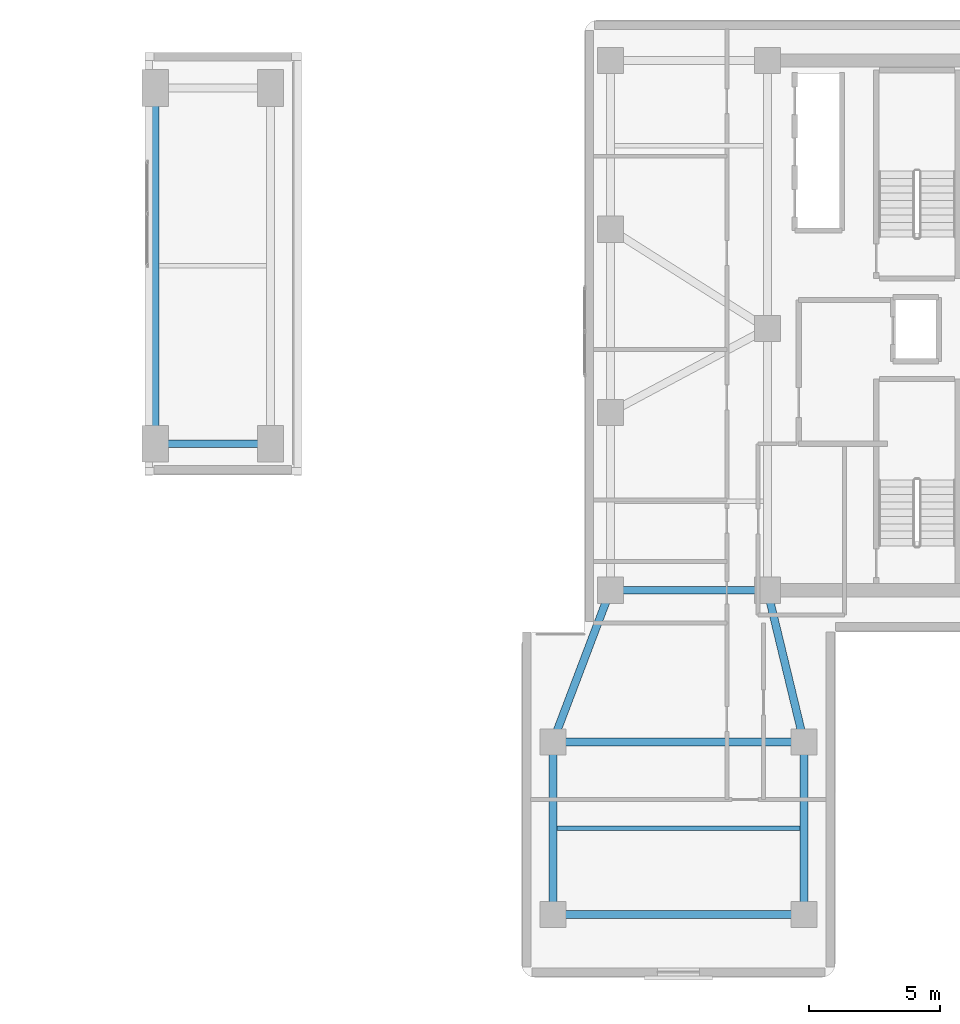
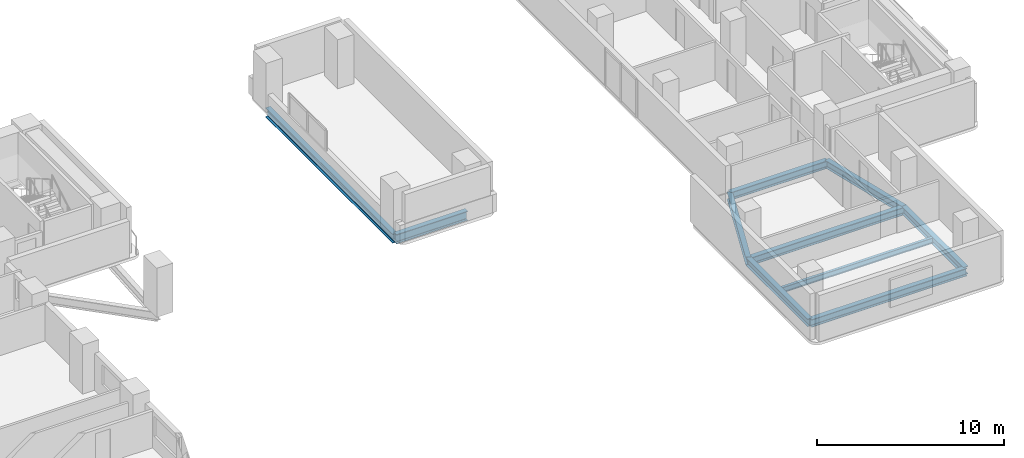
# One storey, part 3 of 14: 10 beams.
"""IFC4 building model written with IfcOpenShell, lengths in metres."""

import ifcopenshell
import ifcopenshell.guid

model = None  # the IFC model being written
_history = None  # IfcOwnerHistory: only IFC2X3 demands one
_inside = {}  # id of a spatial element -> (the spatial element, [elements in it])
_under = {}  # id of a project, library or spatial element -> (it, [spatial elements below it])
_declared = {}  # id of a project -> (the project, [libraries it declares])
_typed = {}  # id of a type object -> (the type object, [elements of that type])
_made_of = {}  # id of a material, layer set ... -> (it, [elements and type objects made of it])


def new_model(schema):
    """Start an empty IFC model of exactly this schema.

    Asked for "IFC4X3", IfcOpenShell would pick the latest addendum, in which some entities
    have other attributes; the version numbers below select the first issue.
    IFC2X3 requires an IfcOwnerHistory on every rooted entity: one is made here for all.
    """
    global model, _history
    if schema == "IFC4X3":
        model = ifcopenshell.file(schema_version=(4, 3, 0, 0))
    else:
        model = ifcopenshell.file(schema=schema)
    _inside.clear()
    _under.clear()
    _declared.clear()
    _typed.clear()
    _made_of.clear()
    _history = None
    if model.schema == "IFC2X3":
        org = make("IfcOrganization", Name="unknown")
        user = make(
            "IfcPersonAndOrganization",
            ThePerson=make("IfcPerson", FamilyName="unknown"),
            TheOrganization=org,
        )
        app = make(
            "IfcApplication",
            ApplicationDeveloper=org,
            Version="unknown",
            ApplicationFullName="unknown",
            ApplicationIdentifier="unknown",
        )
        _history = make(
            "IfcOwnerHistory",
            OwningUser=user,
            OwningApplication=app,
            ChangeAction="ADDED",
            CreationDate=0,
        )
    return model


def make(cls, **values):
    """One entity of the class cls with the attributes given. An attribute that is None is left unset."""
    return model.create_entity(
        cls, **{name: value for name, value in values.items() if value is not None}
    )


def rooted(cls, **values):
    """An entity with a GlobalId (a new one), such as an element, a storey or a relation."""
    return make(cls, GlobalId=ifcopenshell.guid.new(), OwnerHistory=_history, **values)


def si_unit(unit_type, name, prefix=None):
    """IfcSIUnit, for example si_unit("LENGTHUNIT", "METRE", prefix="MILLI")."""
    return make("IfcSIUnit", UnitType=unit_type, Prefix=prefix, Name=name)


def assignment(units):
    """IfcUnitAssignment: the units of a project."""
    return None if units is None else make("IfcUnitAssignment", Units=units)


def point(xyz):
    """IfcCartesianPoint."""
    return None if xyz is None else make("IfcCartesianPoint", Coordinates=xyz)


def direction(xyz):
    """IfcDirection."""
    return None if xyz is None else make("IfcDirection", DirectionRatios=xyz)


def frame(location, z_axis=None, x_axis=None):
    """IfcAxis2Placement3D, a coordinate frame: its origin and axes. An axis left out is left unset."""
    return make(
        "IfcAxis2Placement3D",
        Location=point(location),
        Axis=direction(z_axis),
        RefDirection=direction(x_axis),
    )


def frame_2d(location, x_axis=None):
    """IfcAxis2Placement2D, a coordinate frame in the plane: its origin and x axis."""
    return make(
        "IfcAxis2Placement2D", Location=point(location), RefDirection=direction(x_axis)
    )


def origin():
    """The frame at (0, 0, 0) with its axes left unset."""
    return frame((0.0, 0.0, 0.0))


def origin_2d():
    """The frame at (0, 0) in the plane with its x axis left unset."""
    return frame_2d((0.0, 0.0))


def place(relative_to, where):
    """IfcLocalPlacement: puts the frame where relative to a parent placement (None: the world)."""
    return make(
        "IfcLocalPlacement", PlacementRelTo=relative_to, RelativePlacement=where
    )


def context(
    kind, dimensions, precision=None, world=None, true_north=None, identifier=None
):
    """IfcGeometricRepresentationContext, for example the 3D "Model" context."""
    return make(
        "IfcGeometricRepresentationContext",
        ContextIdentifier=identifier,
        ContextType=kind,
        CoordinateSpaceDimension=dimensions,
        Precision=precision,
        WorldCoordinateSystem=world,
        TrueNorth=true_north,
    )


def subcontext(parent, identifier, kind, view, scale=None):
    """IfcGeometricRepresentationSubContext, for example "Body" below "Model"."""
    return make(
        "IfcGeometricRepresentationSubContext",
        ContextIdentifier=identifier,
        ContextType=kind,
        ParentContext=parent,
        TargetScale=scale,
        TargetView=view,
    )


def project(units=None, contexts=None):
    """IfcProject with its units and contexts."""
    return rooted(
        "IfcProject",
        Name="project",
        RepresentationContexts=contexts,
        UnitsInContext=assignment(units),
    )


def spatial(cls, under=None, at=None, **own):
    """A site, building, storey or space (cls), placed at a placement, below another one or the project."""
    s = rooted(cls, ObjectPlacement=at, **own)
    if under is not None:
        _under.setdefault(under.id(), (under, []))[1].append(s)
    return s


def profile(cls, at=None, kind="AREA", **sizes):
    """A parametric profile (cls). Its sizes go by their IFC names, for example OverallWidth=200.0."""
    return make(cls, ProfileType=kind, Position=at, **sizes)


def i_section(**sizes):
    """IfcIShapeProfileDef."""
    return profile("IfcIShapeProfileDef", **sizes)


def extrude(swept, where, along, depth):
    """IfcExtrudedAreaSolid: the profile swept, set in the frame where, extruded along a direction by depth."""
    return make(
        "IfcExtrudedAreaSolid",
        SweptArea=swept,
        Position=where,
        ExtrudedDirection=direction(along),
        Depth=depth,
    )


def shape(context_of_items, identifier, shape_type, items):
    """IfcShapeRepresentation: the items that make up one representation, for example the "Body"."""
    return make(
        "IfcShapeRepresentation",
        ContextOfItems=context_of_items,
        RepresentationIdentifier=identifier,
        RepresentationType=shape_type,
        Items=items,
    )


def material(Name=None, Category=None):
    """IfcMaterial."""
    return make("IfcMaterial", Name=Name, Category=Category)


def material_profile(
    of_material, cross_section, Name=None, Category=None, Priority=None
):
    """IfcMaterialProfile: a cross section and its material."""
    return make(
        "IfcMaterialProfile",
        Name=Name,
        Material=of_material,
        Profile=cross_section,
        Priority=Priority,
        Category=Category,
    )


def profile_set(profiles, Name=None, composite=None):
    """IfcMaterialProfileSet."""
    return make(
        "IfcMaterialProfileSet",
        Name=Name,
        MaterialProfiles=profiles,
        CompositeProfile=composite,
    )


def made_of(thing, what):
    """Note that an element or type object is made of a material, layer set ...; save() writes the relation."""
    if what is not None:
        _made_of.setdefault(what.id(), (what, []))[1].append(thing)
    return thing


def type_object(cls, material=None, **own):
    """A type object (cls), such as IfcWallType, which elements share."""
    return made_of(rooted(cls, **own), material)


def element(
    cls,
    number,
    at=None,
    inside=None,
    cuts=None,
    type_object=None,
    material=None,
    context=None,
    identifier="Body",
    shape_type=None,
    held_by="IfcProductDefinitionShape",
    body=None,
    shapes=None,
    **own,
):
    """One element of the class cls, such as IfcWall. Its Tag is "e" and its number.

    at: its placement. inside: the storey or other place that contains it. cuts: it is an
    opening in that element (IfcRelVoidsElement). A single representation is given by context,
    identifier, shape_type and body (its items); several are given by shapes. held_by: the class
    of the entity that holds the representations. save() writes the other relations.
    """
    e = rooted(cls, Tag="e%d" % number, ObjectPlacement=at, **own)
    if body is not None:
        shapes = [shape(context, identifier, shape_type, body)]
    if shapes is not None:
        e.Representation = make(held_by, Representations=shapes)
    if inside is not None:
        _inside.setdefault(inside.id(), (inside, []))[1].append(e)
    if cuts is not None:
        rooted(
            "IfcRelVoidsElement", RelatingBuildingElement=cuts, RelatedOpeningElement=e
        )
    if type_object is not None:
        _typed.setdefault(type_object.id(), (type_object, []))[1].append(e)
    return made_of(e, material)


def aggregate(whole, parts):
    """IfcRelAggregates: a whole, such as a stair, and the parts it consists of."""
    return rooted("IfcRelAggregates", RelatingObject=whole, RelatedObjects=parts)


def save(model, path):
    """Write the relations noted so far, then the file.

    IfcRelAggregates (storeys below a building ...), IfcRelContainedInSpatialStructure (elements
    in a storey), IfcRelDefinesByType, IfcRelAssociatesMaterial and IfcRelDeclares: one each for
    every whole, place, type object, material and project.
    """
    for whole, parts in _under.values():
        aggregate(whole, parts)
    for where, things in _inside.values():
        rooted(
            "IfcRelContainedInSpatialStructure",
            RelatedElements=things,
            RelatingStructure=where,
        )
    for kind, things in _typed.values():
        rooted("IfcRelDefinesByType", RelatedObjects=things, RelatingType=kind)
    for what, things in _made_of.values():
        rooted("IfcRelAssociatesMaterial", RelatedObjects=things, RelatingMaterial=what)
    for by, libraries in _declared.values():
        rooted("IfcRelDeclares", RelatingContext=by, RelatedDefinitions=libraries)
    model.write(path)


model = new_model("IFC4")

# Units and contexts
model_context = context("Model", 3, precision=1e-05, world=origin(), true_north=direction((0.0, 1.0)))
body_context = subcontext(model_context, "Body", "Model", "MODEL_VIEW")
ifc_project = project(units=[si_unit("LENGTHUNIT", "METRE"), si_unit("AREAUNIT", "SQUARE_METRE"), si_unit("VOLUMEUNIT", "CUBIC_METRE"), si_unit("PLANEANGLEUNIT", "RADIAN"), si_unit("MASSUNIT", "GRAM", prefix="KILO")], contexts=[model_context])

# Site, building, storey
site_placement = place(None, origin())
site = spatial("IfcSite", under=ifc_project, at=site_placement, CompositionType="ELEMENT")
building_placement = place(site_placement, origin())
building = spatial("IfcBuilding", under=site, at=building_placement, Name="Kuzgunbayir Cultural Tower", CompositionType="ELEMENT")
storey_placement = place(building_placement, frame((0.0, 0.0, 33.39990234375)))
storey = spatial("IfcBuildingStorey", under=building, at=storey_placement, Name="L08", CompositionType="ELEMENT", Elevation=33.39990234375)

# Beams
ifc_material = material(Name="Steel S355J2", Category="steel")
ifc_material_profile_1 = material_profile(ifc_material, i_section(OverallWidth=0.300048828125, OverallDepth=0.5, WebThickness=0.014404296875, FlangeThickness=0.028076171875, FilletRadius=0.027099609375, at=origin_2d()), Name="HEB 500")
ifc_profile_set_1 = profile_set([ifc_material_profile_1], Name="Steel S355J2")
beam_type_1 = type_object("IfcBeamType", Name="BM-EXT-HEB500", PredefinedType="BEAM", material=ifc_profile_set_1)
beam_1_placement = place(storey_placement, frame((56.39990234375, 9.60009765625, -0.429931640625), z_axis=(0.0, 1.0, 0.0), x_axis=(-1.0, 0.0, 0.0)))
element("IfcBeam", 1, at=beam_1_placement, inside=storey, type_object=beam_type_1, Name="L08 Companion Wing B West Girder", PredefinedType="BEAM", context=body_context, shape_type="SweptSolid", body=[
    extrude(i_section(OverallWidth=0.300048828125, OverallDepth=0.5, WebThickness=0.014404296875, FlangeThickness=0.028076171875, FilletRadius=0.027099609375, at=origin_2d()), origin(), (0.0, 0.0, 1.0), 6.599853515625),
])
beam_2_placement = place(storey_placement, frame((56.39990234375, 16.199951171875, -0.429931640625), z_axis=(0.354679148754, 0.93498807556, 0.0), x_axis=(-0.93498807556, 0.354679148754, 0.0)))
element("IfcBeam", 2, at=beam_2_placement, inside=storey, type_object=beam_type_1, Name="L08 Companion Wing B Floor Girder W", PredefinedType="BEAM", context=body_context, shape_type="SweptSolid", body=[
    extrude(i_section(OverallWidth=0.300048828125, OverallDepth=0.5, WebThickness=0.014404296875, FlangeThickness=0.028076171875, FilletRadius=0.027099609375, at=origin_2d()), origin(), (0.0, 0.0, 1.0), 6.203369140625),
])
beam_3_placement = place(storey_placement, frame((66.0, 9.60009765625, -0.429931640625), z_axis=(0.0, 1.0, 0.0), x_axis=(-1.0, 0.0, 0.0)))
element("IfcBeam", 3, at=beam_3_placement, inside=storey, type_object=beam_type_1, Name="L08 Companion Wing B East Girder", PredefinedType="BEAM", context=body_context, shape_type="SweptSolid", body=[
    extrude(i_section(OverallWidth=0.300048828125, OverallDepth=0.5, WebThickness=0.014404296875, FlangeThickness=0.028076171875, FilletRadius=0.027099609375, at=origin_2d()), origin(), (0.0, 0.0, 1.0), 6.599853515625),
])
beam_4_placement = place(storey_placement, frame((66.0, 16.199951171875, -0.429931640625), z_axis=(-0.234623200431, 0.972086392158, 0.0), x_axis=(-0.972086392158, -0.234623200431, 0.0)))
element("IfcBeam", 4, at=beam_4_placement, inside=storey, type_object=beam_type_1, Name="L08 Companion Wing B Floor Girder E", PredefinedType="BEAM", context=body_context, shape_type="SweptSolid", body=[
    extrude(i_section(OverallWidth=0.300048828125, OverallDepth=0.5, WebThickness=0.014404296875, FlangeThickness=0.028076171875, FilletRadius=0.027099609375, at=origin_2d()), origin(), (0.0, 0.0, 1.0), 5.966552734375),
])
beam_5_placement = place(storey_placement, frame((56.39990234375, 9.60009765625, -0.429931640625), z_axis=(1.0, 0.0, 0.0), x_axis=(0.0, 1.0, 0.0)))
element("IfcBeam", 5, at=beam_5_placement, inside=storey, type_object=beam_type_1, Name="L08 Companion Wing B South Girder", PredefinedType="BEAM", context=body_context, shape_type="SweptSolid", body=[
    extrude(i_section(OverallWidth=0.300048828125, OverallDepth=0.5, WebThickness=0.014404296875, FlangeThickness=0.028076171875, FilletRadius=0.027099609375, at=origin_2d()), origin(), (0.0, 0.0, 1.0), 9.60009765625),
])
ifc_material_profile_2 = material_profile(ifc_material, i_section(OverallWidth=0.300048828125, OverallDepth=0.60009765625, WebThickness=0.015380859375, FlangeThickness=0.030029296875, FilletRadius=0.027099609375, at=origin_2d()), Name="HEB 600")
ifc_profile_set_2 = profile_set([ifc_material_profile_2], Name="Steel S355J2")
beam_type_2 = type_object("IfcBeamType", Name="BM-EXT-HEB600", PredefinedType="BEAM", material=ifc_profile_set_2)
beam_6_placement = place(storey_placement, frame((41.199951171875, 27.60009765625, -0.52978515625), z_axis=(1.0, 0.0, 0.0), x_axis=(0.0, 1.0, 0.0)))
element("IfcBeam", 6, at=beam_6_placement, inside=storey, type_object=beam_type_2, Name="L08 Portal Pier South Girder", PredefinedType="BEAM", context=body_context, shape_type="SweptSolid", body=[
    extrude(i_section(OverallWidth=0.300048828125, OverallDepth=0.60009765625, WebThickness=0.015380859375, FlangeThickness=0.030029296875, FilletRadius=0.027099609375, at=origin_2d()), origin(), (0.0, 0.0, 1.0), 4.400146484375),
])
beam_7_placement = place(storey_placement, frame((41.199951171875, 27.60009765625, -0.52978515625), z_axis=(0.0, 1.0, 0.0), x_axis=(-1.0, 0.0, 0.0)))
element("IfcBeam", 7, at=beam_7_placement, inside=storey, type_object=beam_type_2, Name="L08 Portal Pier West Girder", PredefinedType="BEAM", context=body_context, shape_type="SweptSolid", body=[
    extrude(i_section(OverallWidth=0.300048828125, OverallDepth=0.60009765625, WebThickness=0.015380859375, FlangeThickness=0.030029296875, FilletRadius=0.027099609375, at=origin_2d()), origin(), (0.0, 0.0, 1.0), 13.599853515625),
])
ifc_material_profile_3 = material_profile(ifc_material, i_section(OverallWidth=0.300048828125, OverallDepth=0.5, WebThickness=0.014404296875, FlangeThickness=0.028076171875, FilletRadius=0.027099609375, at=origin_2d()), Name="HEB 500")
ifc_profile_set_3 = profile_set([ifc_material_profile_3], Name="Steel S355J2")
beam_type_3 = type_object("IfcBeamType", Name="BM-GIR-HEB500", PredefinedType="BEAM", material=ifc_profile_set_3)
beam_8_placement = place(storey_placement, frame((58.60009765625, 22.0, -0.429931640625), z_axis=(1.0, 0.0, 0.0), x_axis=(0.0, 1.0, 0.0)))
element("IfcBeam", 8, at=beam_8_placement, inside=storey, type_object=beam_type_3, Name="L08 Companion Transverse Girder 1", PredefinedType="BEAM", context=body_context, shape_type="SweptSolid", body=[
    extrude(i_section(OverallWidth=0.300048828125, OverallDepth=0.5, WebThickness=0.014404296875, FlangeThickness=0.028076171875, FilletRadius=0.027099609375, at=origin_2d()), origin(), (0.0, 0.0, 1.0), 6.0),
])
beam_9_placement = place(storey_placement, frame((56.39990234375, 16.199951171875, -0.429931640625), z_axis=(1.0, 0.0, 0.0), x_axis=(0.0, 1.0, 0.0)))
element("IfcBeam", 9, at=beam_9_placement, inside=storey, type_object=beam_type_3, Name="L08 Companion Wing B Mid Girder", PredefinedType="BEAM", context=body_context, shape_type="SweptSolid", body=[
    extrude(i_section(OverallWidth=0.300048828125, OverallDepth=0.5, WebThickness=0.014404296875, FlangeThickness=0.028076171875, FilletRadius=0.027099609375, at=origin_2d()), origin(), (0.0, 0.0, 1.0), 9.60009765625),
])
ifc_material_profile_4 = material_profile(ifc_material, i_section(OverallWidth=0.169921875, OverallDepth=0.360107421875, WebThickness=0.008056640625, FlangeThickness=0.0126953125, FilletRadius=0.01806640625, at=origin_2d()), Name="IPE 360")
ifc_profile_set_4 = profile_set([ifc_material_profile_4], Name="Steel S355J2")
beam_type_4 = type_object("IfcBeamType", Name="BM-JST-IPE360", PredefinedType="JOIST", material=ifc_profile_set_4)
beam_10_placement = place(storey_placement, frame((56.550048828125, 12.89990234375, -0.35986328125), z_axis=(1.0, 0.0, 0.0), x_axis=(0.0, 1.0, 0.0)))
element("IfcBeam", 10, at=beam_10_placement, inside=storey, type_object=beam_type_4, Name="L08 Companion Wing B Joist", PredefinedType="JOIST", context=body_context, shape_type="SweptSolid", body=[
    extrude(i_section(OverallWidth=0.169921875, OverallDepth=0.360107421875, WebThickness=0.008056640625, FlangeThickness=0.0126953125, FilletRadius=0.01806640625, at=origin_2d()), origin(), (0.0, 0.0, 1.0), 9.300048828125),
])

save(model, "model.ifc")
